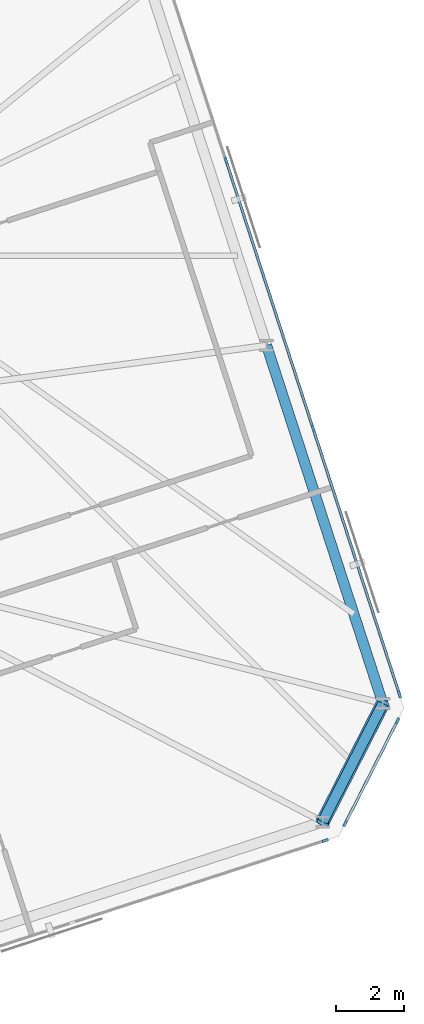
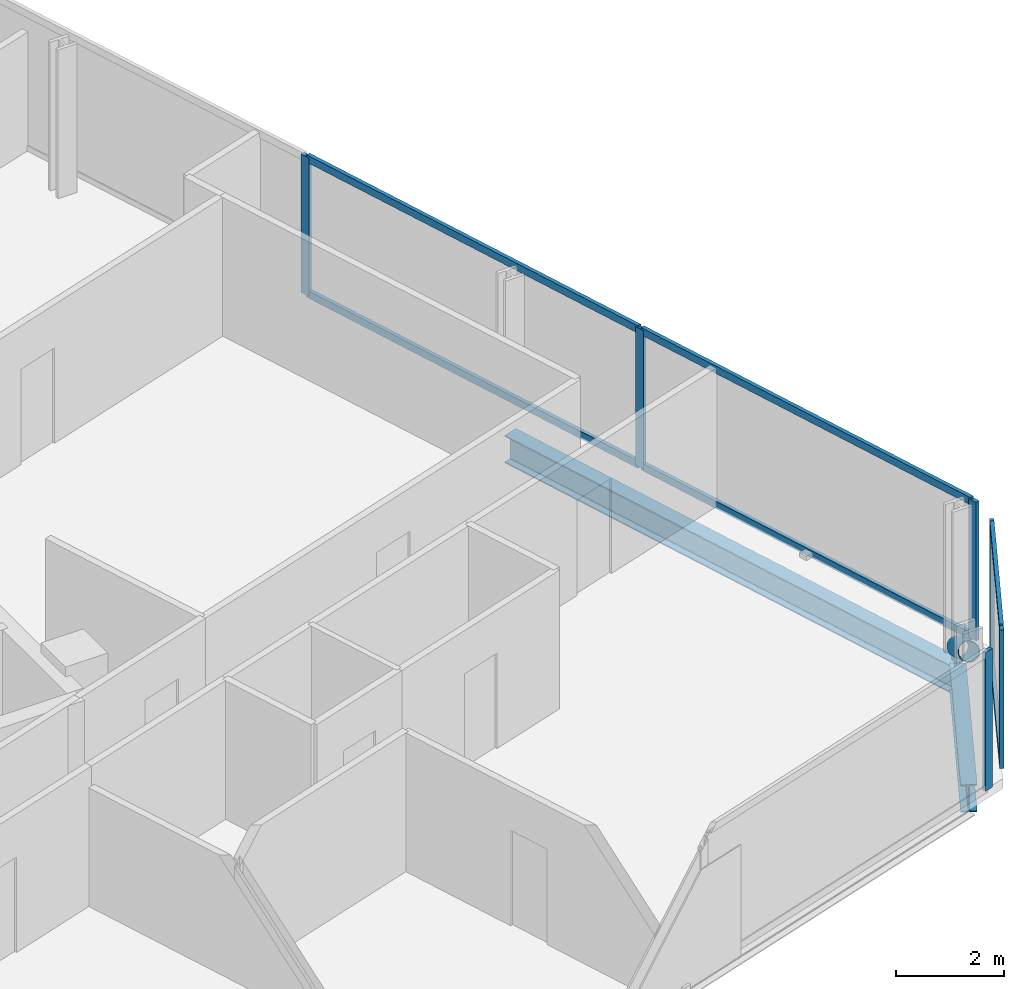
# One storey, part 11 of 19: 13 members, 2 beams, 3 elements without a shape of their own.
"""IFC4 building model written with IfcOpenShell, lengths in metres."""

from ifc_helpers import new_model, si_unit, direction, frame, origin, origin_2d, place, context, subcontext, project, spatial, rectangle, hollow_circle, i_section, extrude, material, material_profile, profile_set, type_object, element, aggregate, save


model = new_model("IFC4")

# Units and contexts
model_context = context("Model", 3, precision=1e-05, world=origin(), true_north=direction((0.0, 1.0)))
body_context = subcontext(model_context, "Body", "Model", "MODEL_VIEW")
ifc_project = project(units=[si_unit("LENGTHUNIT", "METRE"), si_unit("AREAUNIT", "SQUARE_METRE"), si_unit("VOLUMEUNIT", "CUBIC_METRE"), si_unit("PLANEANGLEUNIT", "RADIAN"), si_unit("MASSUNIT", "GRAM", prefix="KILO")], contexts=[model_context])

# Site, building, storey
site_placement = place(None, origin())
site = spatial("IfcSite", under=ifc_project, at=site_placement, CompositionType="ELEMENT")
building_placement = place(site_placement, origin())
building = spatial("IfcBuilding", under=site, at=building_placement, Name="Menara Jurai Vektor", CompositionType="ELEMENT")
storey_placement = place(building_placement, frame((0.0, 0.0, 220.949951171875)))
storey = spatial("IfcBuildingStorey", under=building, at=storey_placement, Name="L58", CompositionType="ELEMENT", Elevation=220.949951171875)

# Curtain wall, member
ifc_material_1 = material(Name="Anodised Pale Aluminium & Low-E Double Glazing", Category="aluminium")
curtain_wall_type = type_object("IfcCurtainWallType", Name="CW-BLK4", PredefinedType="NOTDEFINED", material=ifc_material_1)
curtain_wall_1_placement = place(storey_placement, origin())
curtain_wall_1 = element("IfcCurtainWall", 1, at=curtain_wall_1_placement, inside=storey, type_object=curtain_wall_type, Name="Unitised Curtain Wall L58 F01", PredefinedType="NOTDEFINED")
ifc_material_2 = material(Name="Anodised Pale Aluminium Mullion", Category="aluminium")
ifc_material_profile_1 = material_profile(ifc_material_2, rectangle(XDim=0.080078125, YDim=0.18994140625, at=origin_2d()), Name="ALU MUL 80x190")
ifc_profile_set_1 = profile_set([ifc_material_profile_1], Name="Anodised Pale Aluminium Mullion")
member_type_1 = type_object("IfcMemberType", Name="CW-BLK4-MUL", PredefinedType="MULLION", material=ifc_profile_set_1)
member_1_placement = place(storey_placement, frame((29.810546875, -12.698486328125, 0.0), z_axis=(0.0, 0.0, 1.0), x_axis=(-0.309017344167, 0.951056402641, 0.0)))
member_1 = element("IfcMember", 2, at=member_1_placement, type_object=member_type_1, Name="CW-04 mullion 8", PredefinedType="MULLION", context=body_context, shape_type="SweptSolid", body=[
    extrude(rectangle(XDim=0.080078125, YDim=0.18994140625, at=origin_2d()), origin(), (0.0, 0.0, 1.0), 3.125),
])
aggregate(curtain_wall_1, [member_1])

# Curtain wall, members
curtain_wall_2_placement = place(storey_placement, origin())
curtain_wall_2 = element("IfcCurtainWall", 3, at=curtain_wall_2_placement, inside=storey, type_object=curtain_wall_type, Name="Unitised Curtain Wall L58 F02", PredefinedType="NOTDEFINED")
member_2_placement = place(storey_placement, frame((30.400634765625, -12.194580078125, 0.0), z_axis=(0.0, 0.0, 1.0), x_axis=(-0.89100750243, 0.453988579828, 0.0)))
member_2 = element("IfcMember", 4, at=member_2_placement, type_object=member_type_1, Name="CW-04 mullion 1", PredefinedType="MULLION", context=body_context, shape_type="SweptSolid", body=[
    extrude(rectangle(XDim=0.080078125, YDim=0.18994140625, at=origin_2d()), origin(), (0.0, 0.0, 1.0), 3.125),
])
member_3_placement = place(storey_placement, frame((31.9453125, -9.16259765625, 0.0), z_axis=(0.0, 0.0, 1.0), x_axis=(-0.89100750243, 0.453988579828, 0.0)))
member_3 = element("IfcMember", 5, at=member_3_placement, type_object=member_type_1, Name="CW-04 mullion 2", PredefinedType="MULLION", context=body_context, shape_type="SweptSolid", body=[
    extrude(rectangle(XDim=0.080078125, YDim=0.18994140625, at=origin_2d()), origin(), (0.0, 0.0, 1.0), 3.125),
])

curtain_wall_3_placement = place(storey_placement, origin())
curtain_wall_3 = element("IfcCurtainWall", 6, at=curtain_wall_3_placement, inside=storey, type_object=curtain_wall_type, Name="Unitised Curtain Wall L58 F03", PredefinedType="NOTDEFINED")
member_4_placement = place(storey_placement, frame((32.00634765625, -8.388916015625, 0.0), z_axis=(0.0, 0.0, 1.0), x_axis=(-0.95105668295, -0.309016481464, 0.0)))
member_4 = element("IfcMember", 7, at=member_4_placement, type_object=member_type_1, Name="CW-04 mullion 1", PredefinedType="MULLION", context=body_context, shape_type="SweptSolid", body=[
    extrude(rectangle(XDim=0.080078125, YDim=0.18994140625, at=origin_2d()), origin(), (0.0, 0.0, 1.0), 3.125),
])
member_5_placement = place(storey_placement, frame((29.45068359375, -0.523681640625, 0.0), z_axis=(0.0, 0.0, 1.0), x_axis=(-0.95105668295, -0.309016481464, 0.0)))
member_5 = element("IfcMember", 8, at=member_5_placement, type_object=member_type_1, Name="CW-04 mullion 2", PredefinedType="MULLION", context=body_context, shape_type="SweptSolid", body=[
    extrude(rectangle(XDim=0.080078125, YDim=0.18994140625, at=origin_2d()), origin(), (0.0, 0.0, 1.0), 3.125),
])
member_6_placement = place(storey_placement, frame((26.8828125, 7.379638671875, 0.0), z_axis=(0.0, 0.0, 1.0), x_axis=(-0.95105668295, -0.309016481464, 0.0)))
member_6 = element("IfcMember", 9, at=member_6_placement, type_object=member_type_1, Name="CW-04 mullion 3", PredefinedType="MULLION", context=body_context, shape_type="SweptSolid", body=[
    extrude(rectangle(XDim=0.080078125, YDim=0.18994140625, at=origin_2d()), origin(), (0.0, 0.0, 1.0), 3.125),
])

# Member
ifc_material_3 = material(Name="Anodised Pale Aluminium Transom", Category="aluminium")
ifc_material_profile_2 = material_profile(ifc_material_3, rectangle(XDim=0.080078125, YDim=0.1650390625, at=origin_2d()), Name="ALU TRN 80x165")
ifc_profile_set_2 = profile_set([ifc_material_profile_2], Name="Anodised Pale Aluminium Transom")
member_type_2 = type_object("IfcMemberType", Name="CW-BLK4-TRN", PredefinedType="USERDEFINED", material=ifc_profile_set_2)
member_7_placement = place(storey_placement, frame((30.418701171875, -12.158935546875, 0.0400390625), z_axis=(0.453989617444, 0.89100697374, 0.0), x_axis=(-0.89100697374, 0.453989617444, 0.0)))
member_7 = element("IfcMember", 10, at=member_7_placement, type_object=member_type_2, Name="CW-04 transom 1.1", ObjectType="TRANSOM", PredefinedType="USERDEFINED", context=body_context, shape_type="SweptSolid", body=[
    extrude(rectangle(XDim=0.080078125, YDim=0.1650390625, at=origin_2d()), origin(), (0.0, 0.0, 1.0), 3.32275390625),
])

member_8_placement = place(storey_placement, frame((30.418701171875, -12.158935546875, 3.0849609375), z_axis=(0.453989617444, 0.89100697374, 0.0), x_axis=(-0.89100697374, 0.453989617444, 0.0)))
member_8 = element("IfcMember", 11, at=member_8_placement, type_object=member_type_2, Name="CW-04 transom 1.2", ObjectType="TRANSOM", PredefinedType="USERDEFINED", context=body_context, shape_type="SweptSolid", body=[
    extrude(rectangle(XDim=0.080078125, YDim=0.1650390625, at=origin_2d()), origin(), (0.0, 0.0, 1.0), 3.32275390625),
])

aggregate(curtain_wall_2, [member_2, member_3, member_7, member_8])

member_9_placement = place(storey_placement, frame((31.993896484375, -8.350830078125, 0.0400390625), z_axis=(-0.309010577384, 0.951058601278, 0.0), x_axis=(-0.951058601278, -0.309010577384, 0.0)))
member_9 = element("IfcMember", 12, at=member_9_placement, type_object=member_type_2, Name="CW-04 transom 1.1", ObjectType="TRANSOM", PredefinedType="USERDEFINED", context=body_context, shape_type="SweptSolid", body=[
    extrude(rectangle(XDim=0.080078125, YDim=0.1650390625, at=origin_2d()), origin(), (0.0, 0.0, 1.0), 8.18994140625),
])

member_10_placement = place(storey_placement, frame((31.993896484375, -8.350830078125, 3.0849609375), z_axis=(-0.309010577384, 0.951058601278, 0.0), x_axis=(-0.951058601278, -0.309010577384, 0.0)))
member_10 = element("IfcMember", 13, at=member_10_placement, type_object=member_type_2, Name="CW-04 transom 1.2", ObjectType="TRANSOM", PredefinedType="USERDEFINED", context=body_context, shape_type="SweptSolid", body=[
    extrude(rectangle(XDim=0.080078125, YDim=0.1650390625, at=origin_2d()), origin(), (0.0, 0.0, 1.0), 8.18994140625),
])

member_11_placement = place(storey_placement, frame((29.438232421875, -0.485595703125, 0.0400390625), z_axis=(-0.309018994408, 0.951055866443, 0.0), x_axis=(-0.951055866443, -0.309018994408, 0.0)))
member_11 = element("IfcMember", 14, at=member_11_placement, type_object=member_type_2, Name="CW-04 transom 2.1", ObjectType="TRANSOM", PredefinedType="USERDEFINED", context=body_context, shape_type="SweptSolid", body=[
    extrude(rectangle(XDim=0.080078125, YDim=0.1650390625, at=origin_2d()), origin(), (0.0, 0.0, 1.0), 8.22998046875),
])

member_12_placement = place(storey_placement, frame((29.438232421875, -0.485595703125, 3.0849609375), z_axis=(-0.309018994408, 0.951055866443, 0.0), x_axis=(-0.951055866443, -0.309018994408, 0.0)))
member_12 = element("IfcMember", 15, at=member_12_placement, type_object=member_type_2, Name="CW-04 transom 2.2", ObjectType="TRANSOM", PredefinedType="USERDEFINED", context=body_context, shape_type="SweptSolid", body=[
    extrude(rectangle(XDim=0.080078125, YDim=0.1650390625, at=origin_2d()), origin(), (0.0, 0.0, 1.0), 8.22998046875),
])

aggregate(curtain_wall_3, [member_4, member_5, member_6, member_9, member_10, member_11, member_12])

ifc_material_4 = material(Name="Steel S460", Category="steel")
ifc_material_profile_3 = material_profile(ifc_material_4, hollow_circle(Radius=0.203125, WallThickness=0.01611328125, at=origin_2d()), Name="CHS 406.4x16")
ifc_profile_set_3 = profile_set([ifc_material_profile_3], Name="Steel S460")
member_type_3 = type_object("IfcMemberType", Name="STR-BR-406", PredefinedType="BRACE", material=ifc_profile_set_3)
member_13_placement = place(storey_placement, frame((31.513427734375, -8.652099609375, 0.150146484375), z_axis=(-0.377239531316, -0.740351985533, 0.55638949804), x_axis=(0.891000997215, -0.454001346872, 0.0)))
element("IfcMember", 16, at=member_13_placement, inside=storey, type_object=member_type_3, Name="Exoskeleton Corner Brace L58-1", PredefinedType="BRACE", context=body_context, shape_type="SweptSolid", body=[
    extrude(hollow_circle(Radius=0.203125, WallThickness=0.01611328125, at=origin_2d()), origin(), (0.0, 0.0, 1.0), 4.718017578125),
])

# Beams
ifc_material_5 = material(Name="Steel S355", Category="steel")
ifc_material_profile_4 = material_profile(ifc_material_5, i_section(OverallWidth=0.306884765625, OverallDepth=0.6201171875, WebThickness=0.013916015625, FlangeThickness=0.02392578125, FilletRadius=0.01708984375, at=origin_2d()), Name="UKB 610x305x179")
ifc_profile_set_4 = profile_set([ifc_material_profile_4], Name="Steel S355")
beam_type = type_object("IfcBeamType", Name="STR-SP-610", PredefinedType="SPANDREL", material=ifc_profile_set_4)
beam_1_placement = place(storey_placement, frame((29.7333984375, -12.14501953125, -0.534912109375), z_axis=(0.454050785633, 0.890975804423, 0.0), x_axis=(-0.890975804423, 0.454050785633, 0.0)))
element("IfcBeam", 17, at=beam_1_placement, inside=storey, type_object=beam_type, Name="Exoskeleton Spandrel Beam L58-06", PredefinedType="SPANDREL", context=body_context, shape_type="SweptSolid", body=[
    extrude(i_section(OverallWidth=0.306884765625, OverallDepth=0.6201171875, WebThickness=0.013916015625, FlangeThickness=0.02392578125, FilletRadius=0.01708984375, at=origin_2d()), origin(), (0.0, 0.0, 1.0), 3.92041015625),
])
beam_2_placement = place(storey_placement, frame((31.513427734375, -8.652099609375, -0.534912109375), z_axis=(-0.309012092614, 0.95105810896, 0.0), x_axis=(-0.95105810896, -0.309012092614, 0.0)))
element("IfcBeam", 18, at=beam_2_placement, inside=storey, type_object=beam_type, Name="Exoskeleton Spandrel Beam L58-07", PredefinedType="SPANDREL", context=body_context, shape_type="SweptSolid", body=[
    extrude(i_section(OverallWidth=0.306884765625, OverallDepth=0.6201171875, WebThickness=0.013916015625, FlangeThickness=0.02392578125, FilletRadius=0.01708984375, at=origin_2d()), origin(), (0.0, 0.0, 1.0), 11.11865234375),
])

save(model, "model.ifc")
